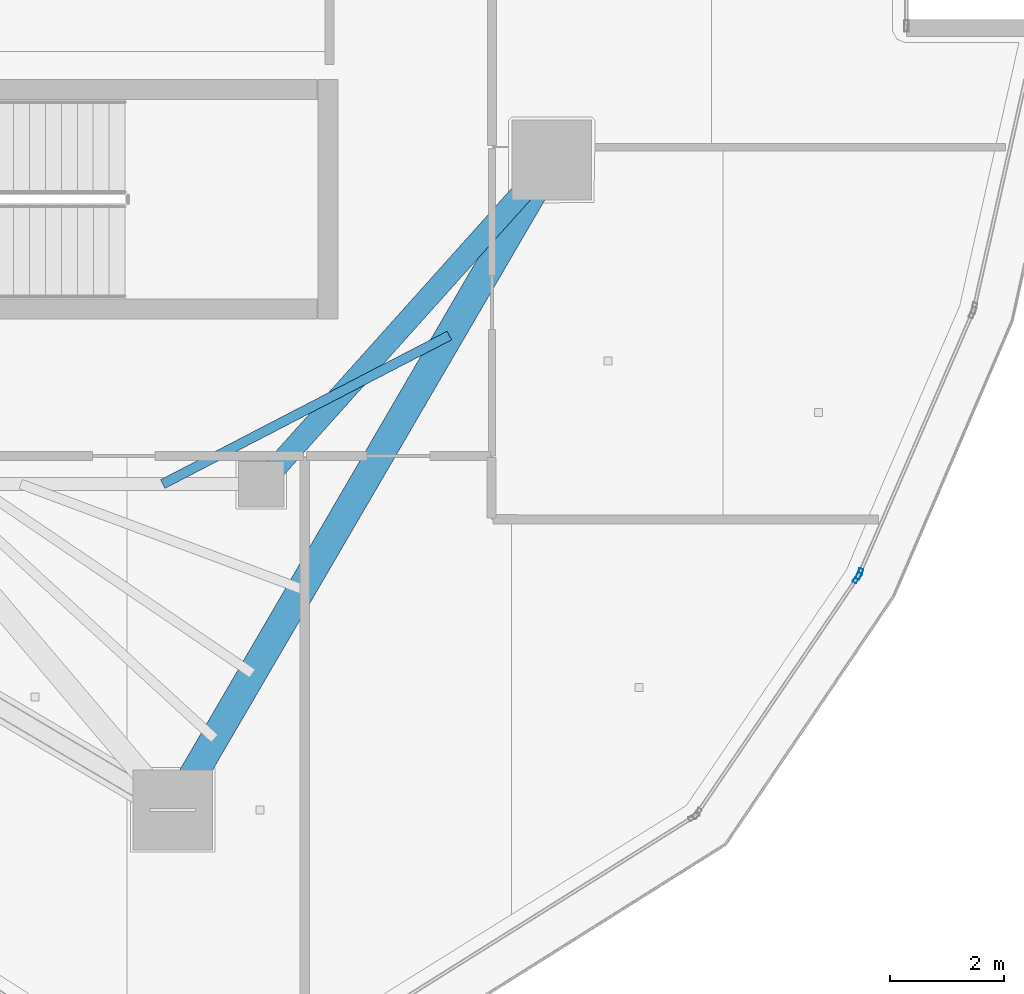
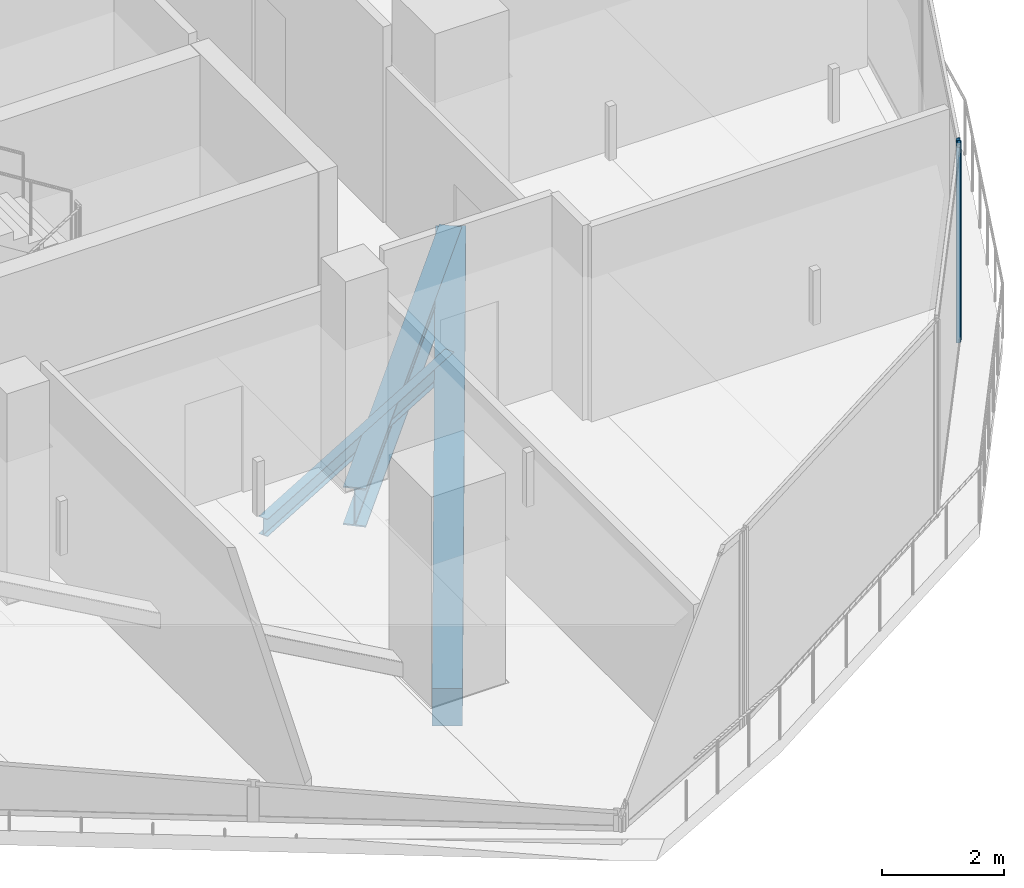
# One storey, part 11 of 30: 3 beams, 2 members, 2 elements without a shape of their own.
"""IFC4 building model written with IfcOpenShell, lengths in metres."""

from ifc_helpers import new_model, si_unit, direction, frame, origin, origin_2d, place, context, subcontext, project, spatial, rectangle, hollow_rectangle, i_section, extrude, material, layer, layer_set, material_profile, profile_set, type_object, element, aggregate, save


model = new_model("IFC4")

# Units and contexts
model_context = context("Model", 3, precision=1e-05, world=origin(), true_north=direction((0.0, 1.0)))
body_context = subcontext(model_context, "Body", "Model", "MODEL_VIEW")
ifc_project = project(units=[si_unit("LENGTHUNIT", "METRE"), si_unit("AREAUNIT", "SQUARE_METRE"), si_unit("VOLUMEUNIT", "CUBIC_METRE"), si_unit("PLANEANGLEUNIT", "RADIAN"), si_unit("MASSUNIT", "GRAM", prefix="KILO")], contexts=[model_context])

# Site, building, storey
site_placement = place(None, origin())
site = spatial("IfcSite", under=ifc_project, at=site_placement, CompositionType="ELEMENT")
building_placement = place(site_placement, origin())
building = spatial("IfcBuilding", under=site, at=building_placement, Name="Qorvath Tower", CompositionType="ELEMENT")
storey_placement = place(building_placement, frame((0.0, 0.0, 301.800048828125)))
storey = spatial("IfcBuildingStorey", under=building, at=storey_placement, Name="L70", CompositionType="ELEMENT", Elevation=301.800048828125)

# Beams
ifc_material_1 = material(Name="Steel ASTM A992 Grade 50", Category="steel")
ifc_material_profile_1 = material_profile(ifc_material_1, i_section(OverallWidth=0.381103515625, OverallDepth=0.77294921875, WebThickness=0.0166015625, FlangeThickness=0.027099609375, FilletRadius=0.01904296875, at=origin_2d()), Name="W30x173")
ifc_profile_set_1 = profile_set([ifc_material_profile_1], Name="Steel ASTM A992 Grade 50")
beam_type_1 = type_object("IfcBeamType", Name="BM-FG3", PredefinedType="BEAM", material=ifc_profile_set_1)
beam_1_placement = place(storey_placement, frame((-17.199951171875, -11.449951171875, -0.676513671875), z_axis=(0.667543184261, 0.744571082669, 0.0), x_axis=(-0.744571082669, 0.667543184261, 0.0)))
element("IfcBeam", 1, at=beam_1_placement, inside=storey, type_object=beam_type_1, Name="Radial Floor Girder CC3-MC4 L70", PredefinedType="BEAM", context=body_context, shape_type="SweptSolid", body=[
    extrude(i_section(OverallWidth=0.381103515625, OverallDepth=0.77294921875, WebThickness=0.0166015625, FlangeThickness=0.027099609375, FilletRadius=0.01904296875, at=origin_2d()), origin(), (0.0, 0.0, 1.0), 7.644775390625),
])
ifc_material_2 = material(Name="Steel ASTM A992 Grade 50", Category="steel")
ifc_material_profile_2 = material_profile(ifc_material_2, i_section(OverallWidth=0.1708984375, OverallDepth=0.35107421875, WebThickness=0.0068359375, FlangeThickness=0.009765625, FilletRadius=0.010009765625, at=origin_2d()), Name="W14x30")
ifc_profile_set_2 = profile_set([ifc_material_profile_2], Name="Steel ASTM A992 Grade 50")
beam_type_2 = type_object("IfcBeamType", Name="BM-FJ4", PredefinedType="JOIST", material=ifc_profile_set_2)
beam_2_placement = place(storey_placement, frame((-18.927978515625, -11.449951171875, -0.465576171875), z_axis=(0.887840529015, 0.460151274082, 0.0), x_axis=(-0.460151274082, 0.887840529015, 0.0)))
element("IfcBeam", 2, at=beam_2_placement, inside=storey, type_object=beam_type_2, Name="Composite Floor Joist SE2 L70", PredefinedType="JOIST", context=body_context, shape_type="SweptSolid", body=[
    extrude(i_section(OverallWidth=0.1708984375, OverallDepth=0.35107421875, WebThickness=0.0068359375, FlangeThickness=0.009765625, FilletRadius=0.010009765625, at=origin_2d()), origin(), (0.0, 0.0, 1.0), 5.670654296875),
])
ifc_material_3 = material(Name="Concrete C45/55", Category="concrete")
ifc_material_profile_3 = material_profile(ifc_material_3, rectangle(XDim=0.5, YDim=0.75, at=origin_2d()), Name="RCB 750x500")
ifc_profile_set_3 = profile_set([ifc_material_profile_3], Name="Concrete C45/55")
beam_type_3 = type_object("IfcBeamType", Name="BM-RCB3", PredefinedType="SPANDREL", material=ifc_profile_set_3)
beam_3_placement = place(storey_placement, frame((-18.75048828125, -17.175537109375, -0.6650390625), z_axis=(0.503502256692, 0.863993910572, 0.0), x_axis=(-0.863993910572, 0.503502256692, 0.0)))
element("IfcBeam", 3, at=beam_3_placement, inside=storey, type_object=beam_type_3, Name="Perimeter Loggia Frame Beam MC3-MC4 L70", PredefinedType="SPANDREL", context=body_context, shape_type="SweptSolid", body=[
    extrude(rectangle(XDim=0.5, YDim=0.75, at=origin_2d()), origin(), (0.0, 0.0, 1.0), 13.215087890625),
])

# Curtain wall, member
ifc_material_4 = material(Name="Anodised aluminium and triple low-E glass", Category="aluminium")
ifc_layer = layer(ifc_material_4, 0.179931640625)
ifc_layer_set = layer_set([ifc_layer], Name="CW-SYS-4")
curtain_wall_type = type_object("IfcCurtainWallType", Name="CW-SYS-4", PredefinedType="NOTDEFINED", material=ifc_layer_set)
curtain_wall_1_placement = place(storey_placement, origin())
curtain_wall_1 = element("IfcCurtainWall", 4, at=curtain_wall_1_placement, inside=storey, type_object=curtain_wall_type, Name="Curtain Wall CW-4 CW-T-L70-5.1", PredefinedType="NOTDEFINED")
ifc_material_5 = material(Name="Anodised aluminium 6063-T6", Category="aluminium")
ifc_material_profile_4 = material_profile(ifc_material_5, hollow_rectangle(XDim=0.074951171875, YDim=0.199951171875, WallThickness=0.00390625, InnerFilletRadius=0.00390625, OuterFilletRadius=0.008056640625, at=origin_2d()), Name="CWM 200x75")
ifc_profile_set_4 = profile_set([ifc_material_profile_4], Name="Anodised aluminium 6063-T6")
member_type = type_object("IfcMemberType", Name="CWM-200", PredefinedType="MULLION", material=ifc_profile_set_4)
member_1_placement = place(storey_placement, frame((-6.7255859375, -13.096435546875, 0.0), z_axis=(0.0, 0.0, 1.0), x_axis=(-0.827119229708, 0.562026493901, 0.0)))
member_1 = element("IfcMember", 5, at=member_1_placement, type_object=member_type, Name="CW-4 mullion 2", PredefinedType="MULLION", context=body_context, shape_type="SweptSolid", body=[
    extrude(hollow_rectangle(XDim=0.074951171875, YDim=0.199951171875, WallThickness=0.00390625, InnerFilletRadius=0.00390625, OuterFilletRadius=0.008056640625, at=origin_2d()), origin(), (0.0, 0.0, 1.0), 3.909912109375),
])
aggregate(curtain_wall_1, [member_1])

curtain_wall_2_placement = place(storey_placement, origin())
curtain_wall_2 = element("IfcCurtainWall", 6, at=curtain_wall_2_placement, inside=storey, type_object=curtain_wall_type, Name="Curtain Wall CW-4 CW-T-L70-6.1", PredefinedType="NOTDEFINED")
member_2_placement = place(storey_placement, frame((-6.689697265625, -13.031005859375, 0.0), z_axis=(0.0, 0.0, 1.0), x_axis=(-0.917541273425, 0.39764055573, 0.0)))
member_2 = element("IfcMember", 7, at=member_2_placement, type_object=member_type, Name="CW-4 mullion 1", PredefinedType="MULLION", context=body_context, shape_type="SweptSolid", body=[
    extrude(hollow_rectangle(XDim=0.074951171875, YDim=0.199951171875, WallThickness=0.00390625, InnerFilletRadius=0.00390625, OuterFilletRadius=0.008056640625, at=origin_2d()), origin(), (0.0, 0.0, 1.0), 3.909912109375),
])
aggregate(curtain_wall_2, [member_2])

save(model, "model.ifc")
